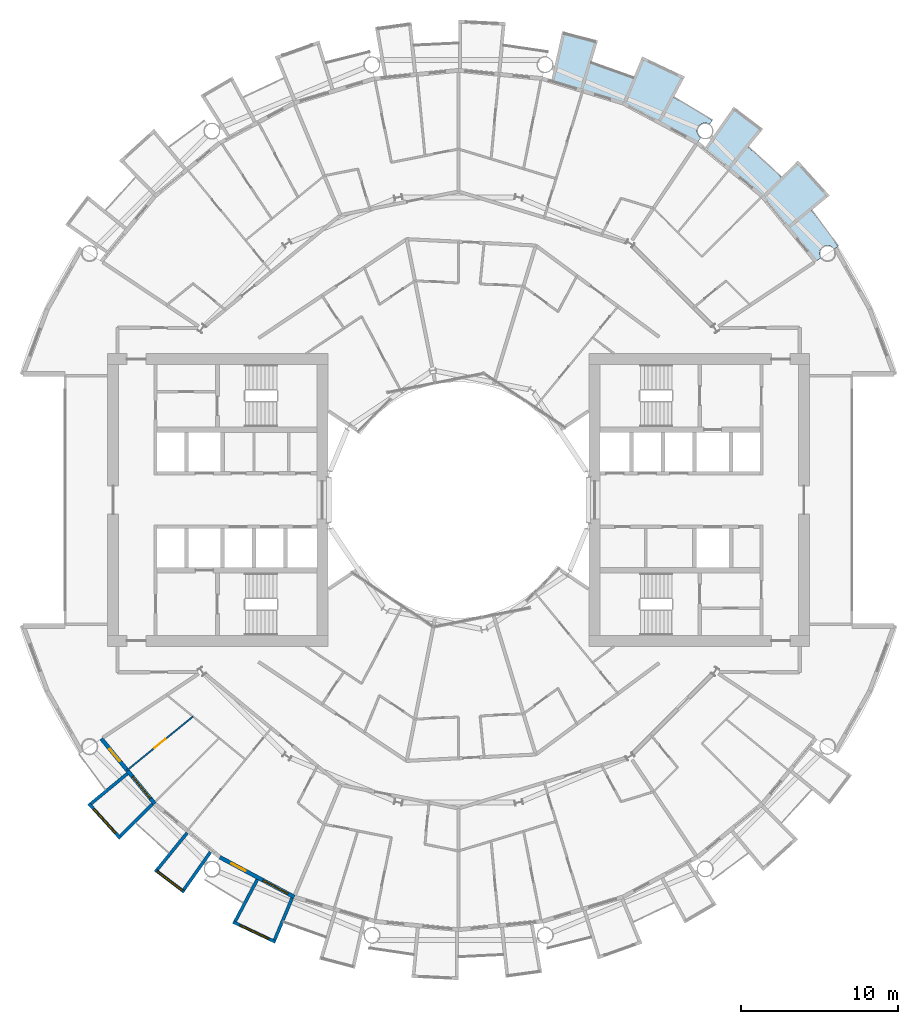
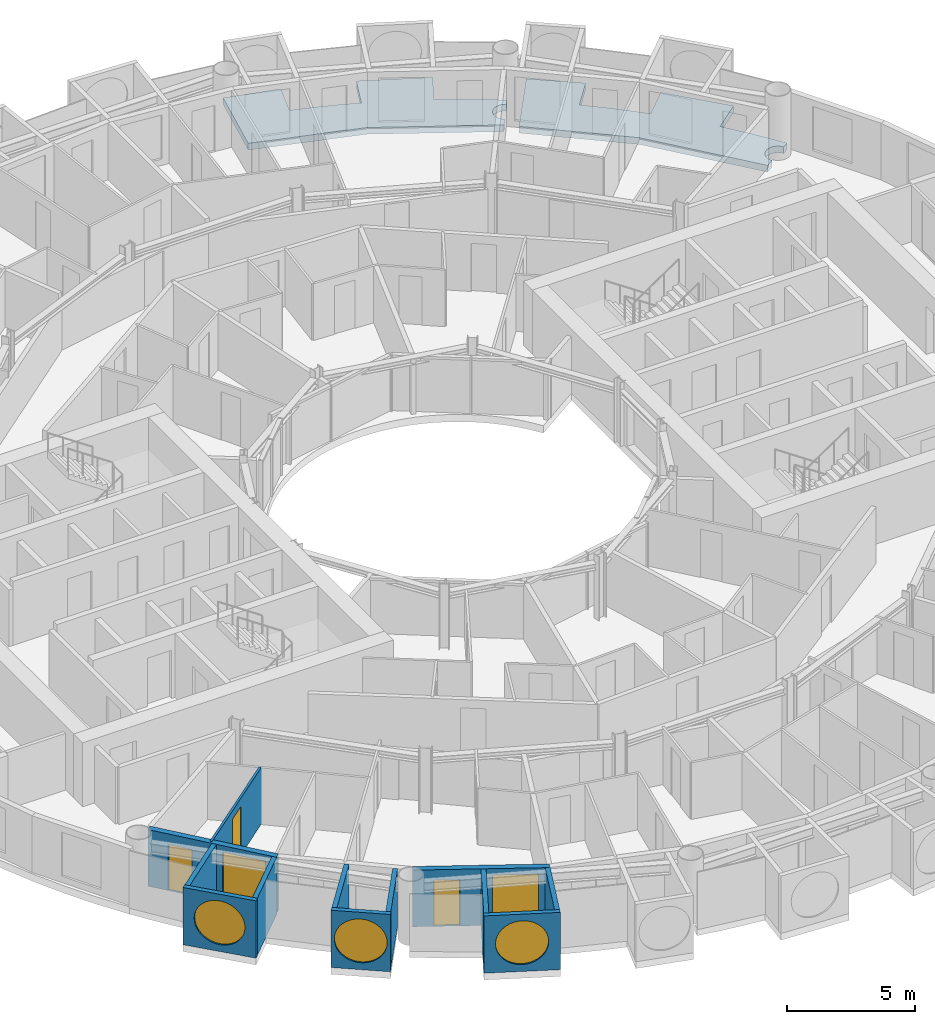
# One storey, part 12 of 26: 12 walls, 5 windows, 3 doors, 2 slabs, 8 openings.
"""IFC4 building model written with IfcOpenShell, lengths in metres."""

import ifcopenshell
import ifcopenshell.guid

model = None  # the IFC model being written
_history = None  # IfcOwnerHistory: only IFC2X3 demands one
_inside = {}  # id of a spatial element -> (the spatial element, [elements in it])
_under = {}  # id of a project, library or spatial element -> (it, [spatial elements below it])
_declared = {}  # id of a project -> (the project, [libraries it declares])
_typed = {}  # id of a type object -> (the type object, [elements of that type])
_made_of = {}  # id of a material, layer set ... -> (it, [elements and type objects made of it])


def new_model(schema):
    """Start an empty IFC model of exactly this schema.

    Asked for "IFC4X3", IfcOpenShell would pick the latest addendum, in which some entities
    have other attributes; the version numbers below select the first issue.
    IFC2X3 requires an IfcOwnerHistory on every rooted entity: one is made here for all.
    """
    global model, _history
    if schema == "IFC4X3":
        model = ifcopenshell.file(schema_version=(4, 3, 0, 0))
    else:
        model = ifcopenshell.file(schema=schema)
    _inside.clear()
    _under.clear()
    _declared.clear()
    _typed.clear()
    _made_of.clear()
    _history = None
    if model.schema == "IFC2X3":
        org = make("IfcOrganization", Name="unknown")
        user = make(
            "IfcPersonAndOrganization",
            ThePerson=make("IfcPerson", FamilyName="unknown"),
            TheOrganization=org,
        )
        app = make(
            "IfcApplication",
            ApplicationDeveloper=org,
            Version="unknown",
            ApplicationFullName="unknown",
            ApplicationIdentifier="unknown",
        )
        _history = make(
            "IfcOwnerHistory",
            OwningUser=user,
            OwningApplication=app,
            ChangeAction="ADDED",
            CreationDate=0,
        )
    return model


def make(cls, **values):
    """One entity of the class cls with the attributes given. An attribute that is None is left unset."""
    return model.create_entity(
        cls, **{name: value for name, value in values.items() if value is not None}
    )


def rooted(cls, **values):
    """An entity with a GlobalId (a new one), such as an element, a storey or a relation."""
    return make(cls, GlobalId=ifcopenshell.guid.new(), OwnerHistory=_history, **values)


def si_unit(unit_type, name, prefix=None):
    """IfcSIUnit, for example si_unit("LENGTHUNIT", "METRE", prefix="MILLI")."""
    return make("IfcSIUnit", UnitType=unit_type, Prefix=prefix, Name=name)


def assignment(units):
    """IfcUnitAssignment: the units of a project."""
    return None if units is None else make("IfcUnitAssignment", Units=units)


def point(xyz):
    """IfcCartesianPoint."""
    return None if xyz is None else make("IfcCartesianPoint", Coordinates=xyz)


def direction(xyz):
    """IfcDirection."""
    return None if xyz is None else make("IfcDirection", DirectionRatios=xyz)


def frame(location, z_axis=None, x_axis=None):
    """IfcAxis2Placement3D, a coordinate frame: its origin and axes. An axis left out is left unset."""
    return make(
        "IfcAxis2Placement3D",
        Location=point(location),
        Axis=direction(z_axis),
        RefDirection=direction(x_axis),
    )


def frame_2d(location, x_axis=None):
    """IfcAxis2Placement2D, a coordinate frame in the plane: its origin and x axis."""
    return make(
        "IfcAxis2Placement2D", Location=point(location), RefDirection=direction(x_axis)
    )


def origin():
    """The frame at (0, 0, 0) with its axes left unset."""
    return frame((0.0, 0.0, 0.0))


def place(relative_to, where):
    """IfcLocalPlacement: puts the frame where relative to a parent placement (None: the world)."""
    return make(
        "IfcLocalPlacement", PlacementRelTo=relative_to, RelativePlacement=where
    )


def context(
    kind, dimensions, precision=None, world=None, true_north=None, identifier=None
):
    """IfcGeometricRepresentationContext, for example the 3D "Model" context."""
    return make(
        "IfcGeometricRepresentationContext",
        ContextIdentifier=identifier,
        ContextType=kind,
        CoordinateSpaceDimension=dimensions,
        Precision=precision,
        WorldCoordinateSystem=world,
        TrueNorth=true_north,
    )


def subcontext(parent, identifier, kind, view, scale=None):
    """IfcGeometricRepresentationSubContext, for example "Body" below "Model"."""
    return make(
        "IfcGeometricRepresentationSubContext",
        ContextIdentifier=identifier,
        ContextType=kind,
        ParentContext=parent,
        TargetScale=scale,
        TargetView=view,
    )


def project(units=None, contexts=None):
    """IfcProject with its units and contexts."""
    return rooted(
        "IfcProject",
        Name="project",
        RepresentationContexts=contexts,
        UnitsInContext=assignment(units),
    )


def spatial(cls, under=None, at=None, **own):
    """A site, building, storey or space (cls), placed at a placement, below another one or the project."""
    s = rooted(cls, ObjectPlacement=at, **own)
    if under is not None:
        _under.setdefault(under.id(), (under, []))[1].append(s)
    return s


def polyline(points):
    """IfcPolyline through the points."""
    return make("IfcPolyline", Points=[point(p) for p in points])


def profile(cls, at=None, kind="AREA", **sizes):
    """A parametric profile (cls). Its sizes go by their IFC names, for example OverallWidth=200.0."""
    return make(cls, ProfileType=kind, Position=at, **sizes)


def rectangle(**sizes):
    """IfcRectangleProfileDef."""
    return profile("IfcRectangleProfileDef", **sizes)


def circle(**sizes):
    """IfcCircleProfileDef."""
    return profile("IfcCircleProfileDef", **sizes)


def outline(outer, holes=None, kind="AREA"):
    """IfcArbitraryClosedProfileDef: a profile drawn as a closed curve; with holes, ...WithVoids."""
    if holes is None:
        return make("IfcArbitraryClosedProfileDef", ProfileType=kind, OuterCurve=outer)
    return make(
        "IfcArbitraryProfileDefWithVoids",
        ProfileType=kind,
        OuterCurve=outer,
        InnerCurves=holes,
    )


def extrude(swept, where, along, depth):
    """IfcExtrudedAreaSolid: the profile swept, set in the frame where, extruded along a direction by depth."""
    return make(
        "IfcExtrudedAreaSolid",
        SweptArea=swept,
        Position=where,
        ExtrudedDirection=direction(along),
        Depth=depth,
    )


def shape(context_of_items, identifier, shape_type, items):
    """IfcShapeRepresentation: the items that make up one representation, for example the "Body"."""
    return make(
        "IfcShapeRepresentation",
        ContextOfItems=context_of_items,
        RepresentationIdentifier=identifier,
        RepresentationType=shape_type,
        Items=items,
    )


def material(Name=None, Category=None):
    """IfcMaterial."""
    return make("IfcMaterial", Name=Name, Category=Category)


def layer(
    of_material, thickness, ventilated=None, Name=None, Category=None, Priority=None
):
    """IfcMaterialLayer: one layer of a wall or slab, of a material (None: an air gap)."""
    return make(
        "IfcMaterialLayer",
        Material=of_material,
        LayerThickness=thickness,
        IsVentilated=ventilated,
        Name=Name,
        Category=Category,
        Priority=Priority,
    )


def layer_set(layers, Name=None):
    """IfcMaterialLayerSet."""
    return make("IfcMaterialLayerSet", MaterialLayers=layers, LayerSetName=Name)


def made_of(thing, what):
    """Note that an element or type object is made of a material, layer set ...; save() writes the relation."""
    if what is not None:
        _made_of.setdefault(what.id(), (what, []))[1].append(thing)
    return thing


def type_object(cls, material=None, **own):
    """A type object (cls), such as IfcWallType, which elements share."""
    return made_of(rooted(cls, **own), material)


def element(
    cls,
    number,
    at=None,
    inside=None,
    cuts=None,
    type_object=None,
    material=None,
    context=None,
    identifier="Body",
    shape_type=None,
    held_by="IfcProductDefinitionShape",
    body=None,
    shapes=None,
    **own,
):
    """One element of the class cls, such as IfcWall. Its Tag is "e" and its number.

    at: its placement. inside: the storey or other place that contains it. cuts: it is an
    opening in that element (IfcRelVoidsElement). A single representation is given by context,
    identifier, shape_type and body (its items); several are given by shapes. held_by: the class
    of the entity that holds the representations. save() writes the other relations.
    """
    e = rooted(cls, Tag="e%d" % number, ObjectPlacement=at, **own)
    if body is not None:
        shapes = [shape(context, identifier, shape_type, body)]
    if shapes is not None:
        e.Representation = make(held_by, Representations=shapes)
    if inside is not None:
        _inside.setdefault(inside.id(), (inside, []))[1].append(e)
    if cuts is not None:
        rooted(
            "IfcRelVoidsElement", RelatingBuildingElement=cuts, RelatedOpeningElement=e
        )
    if type_object is not None:
        _typed.setdefault(type_object.id(), (type_object, []))[1].append(e)
    return made_of(e, material)


def fill(opening, filler):
    """IfcRelFillsElement: the door or window that sits in an opening."""
    return rooted(
        "IfcRelFillsElement",
        RelatingOpeningElement=opening,
        RelatedBuildingElement=filler,
    )


def aggregate(whole, parts):
    """IfcRelAggregates: a whole, such as a stair, and the parts it consists of."""
    return rooted("IfcRelAggregates", RelatingObject=whole, RelatedObjects=parts)


def save(model, path):
    """Write the relations noted so far, then the file.

    IfcRelAggregates (storeys below a building ...), IfcRelContainedInSpatialStructure (elements
    in a storey), IfcRelDefinesByType, IfcRelAssociatesMaterial and IfcRelDeclares: one each for
    every whole, place, type object, material and project.
    """
    for whole, parts in _under.values():
        aggregate(whole, parts)
    for where, things in _inside.values():
        rooted(
            "IfcRelContainedInSpatialStructure",
            RelatedElements=things,
            RelatingStructure=where,
        )
    for kind, things in _typed.values():
        rooted("IfcRelDefinesByType", RelatedObjects=things, RelatingType=kind)
    for what, things in _made_of.values():
        rooted("IfcRelAssociatesMaterial", RelatedObjects=things, RelatingMaterial=what)
    for by, libraries in _declared.values():
        rooted("IfcRelDeclares", RelatingContext=by, RelatedDefinitions=libraries)
    model.write(path)


model = new_model("IFC4")

# Units and contexts
model_context = context("Model", 3, precision=1e-05, world=origin(), true_north=direction((0.0, 1.0)))
body_context = subcontext(model_context, "Body", "Model", "MODEL_VIEW")
ifc_project = project(units=[si_unit("LENGTHUNIT", "METRE"), si_unit("AREAUNIT", "SQUARE_METRE"), si_unit("VOLUMEUNIT", "CUBIC_METRE"), si_unit("PLANEANGLEUNIT", "RADIAN"), si_unit("MASSUNIT", "GRAM", prefix="KILO")], contexts=[model_context])

# Site, building, storey
site_placement = place(None, origin())
site = spatial("IfcSite", under=ifc_project, at=site_placement, CompositionType="ELEMENT")
building_placement = place(site_placement, origin())
building = spatial("IfcBuilding", under=site, at=building_placement, Name="Maasbend Ring Residences", CompositionType="ELEMENT")
storey_placement = place(building_placement, frame((0.0, 0.0, 88.0)))
storey = spatial("IfcBuildingStorey", under=building, at=storey_placement, Name="L25", CompositionType="ELEMENT", Elevation=88.0)

# Slabs
ifc_material_1 = material(Name="Concrete C40/50", Category="concrete")
ifc_layer_1 = layer(ifc_material_1, 0.199951171875)
ifc_layer_set_1 = layer_set([ifc_layer_1], Name="Concrete C40/50")
slab_type = type_object("IfcSlabType", Name="SL-LOGGIA", PredefinedType="FLOOR", material=ifc_layer_set_1)
slab_1_placement = place(storey_placement, frame((0.0, 0.0, -0.35009765625)))
element("IfcSlab", 1, at=slab_1_placement, inside=storey, type_object=slab_type, Name="Loggia floor 1", PredefinedType="FLOOR", context=body_context, shape_type="SweptSolid", body=[
    extrude(outline(polyline([(8.85400390625, 29.18701171875), (8.85400390625, 29.18701171875), (8.85400390625, 29.18701171875), (8.41796875, 27.751953125), (8.41796875, 27.751953125), (8.41796875, 27.751953125), (8.41796875, 27.751953125), (8.41796875, 27.751953125), (8.41796875, 27.751953125), (8.41796875, 27.7509765625), (8.41796875, 27.7509765625), (8.41796875, 27.7509765625), (8.41796875, 27.7509765625), (8.41796875, 27.7509765625), (8.4189453125, 27.7509765625), (8.4189453125, 27.7509765625), (8.4189453125, 27.7509765625), (8.4189453125, 27.7509765625), (8.4189453125, 27.7509765625), (8.4189453125, 27.7509765625), (9.322021484375, 27.4609375), (9.322021484375, 27.4609375), (10.215087890625, 27.14111328125), (10.215087890625, 27.14111328125), (11.096923828125, 26.79296875), (11.096923828125, 26.79296875), (11.096923828125, 26.79296875), (11.097900390625, 26.79296875), (11.097900390625, 26.79296875), (11.097900390625, 26.79296875), (11.097900390625, 26.79296875), (11.097900390625, 26.79296875), (11.097900390625, 26.79296875), (11.097900390625, 26.79296875), (11.097900390625, 26.79296875), (11.097900390625, 26.79296875), (11.097900390625, 26.79296875), (11.097900390625, 26.79296875), (11.097900390625, 26.79296875), (11.097900390625, 26.79296875), (11.097900390625, 26.79296875), (11.672119140625, 28.177978515625), (11.672119140625, 28.177978515625), (11.672119140625, 28.177978515625), (14.3779296875, 26.89892578125), (14.3779296875, 26.89892578125), (14.3779296875, 26.89892578125), (13.6708984375, 25.575927734375), (13.6708984375, 25.575927734375), (13.6708984375, 25.575927734375), (13.6708984375, 25.575927734375), (13.6708984375, 25.575927734375), (13.6708984375, 25.575927734375), (13.6708984375, 25.575927734375), (13.6708984375, 25.575927734375), (13.6708984375, 25.575927734375), (13.6708984375, 25.575927734375), (13.6708984375, 25.575927734375), (13.6708984375, 25.575927734375), (13.6708984375, 25.575927734375), (13.6708984375, 25.575927734375), (13.6708984375, 25.575927734375), (13.6708984375, 25.575927734375), (13.6708984375, 25.574951171875), (14.5, 25.114990234375), (14.5, 25.114990234375), (15.31396484375, 24.626953125), (15.31396484375, 24.626953125), (16.112060546875, 24.113037109375), (16.112060546875, 24.113037109375), (16.112060546875, 24.113037109375), (15.948974609375, 23.8701171875), (15.93896484375, 23.876953125), (15.927978515625, 23.883056640625), (15.9169921875, 23.888916015625), (15.906982421875, 23.89501953125), (15.89599609375, 23.90087890625), (15.884033203125, 23.906982421875), (15.873046875, 23.912109375), (15.862060546875, 23.9169921875), (15.85009765625, 23.9208984375), (15.837890625, 23.926025390625), (15.825927734375, 23.929931640625), (15.81494140625, 23.93408203125), (15.802978515625, 23.93701171875), (15.791015625, 23.93994140625), (15.778076171875, 23.943115234375), (15.76611328125, 23.946044921875), (15.75390625, 23.947998046875), (15.741943359375, 23.949951171875), (15.72900390625, 23.951904296875), (15.717041015625, 23.952880859375), (15.7041015625, 23.9541015625), (15.69189453125, 23.955078125), (15.679931640625, 23.955078125), (15.6669921875, 23.955078125), (15.655029296875, 23.955078125), (15.64208984375, 23.955078125), (15.6298828125, 23.9541015625), (15.616943359375, 23.952880859375), (15.60498046875, 23.951904296875), (15.593017578125, 23.949951171875), (15.580078125, 23.947998046875), (15.568115234375, 23.946044921875), (15.555908203125, 23.943115234375), (15.5439453125, 23.93994140625), (15.531982421875, 23.93701171875), (15.52001953125, 23.93408203125), (15.508056640625, 23.929931640625), (15.49609375, 23.926025390625), (15.48388671875, 23.9208984375), (15.472900390625, 23.9169921875), (15.4609375, 23.912109375), (15.449951171875, 23.906982421875), (15.43896484375, 23.90087890625), (15.427978515625, 23.89501953125), (15.4169921875, 23.888916015625), (15.406005859375, 23.883056640625), (15.39501953125, 23.876953125), (15.385009765625, 23.8701171875), (15.375, 23.863037109375), (15.364013671875, 23.85498046875), (15.35498046875, 23.847900390625), (15.344970703125, 23.840087890625), (15.3349609375, 23.83203125), (15.325927734375, 23.823974609375), (15.31689453125, 23.81494140625), (15.30810546875, 23.806884765625), (15.299072265625, 23.798095703125), (15.291015625, 23.7890625), (15.281982421875, 23.779052734375), (15.27392578125, 23.77001953125), (15.26708984375, 23.760009765625), (15.259033203125, 23.75), (15.251953125, 23.739990234375), (15.2451171875, 23.72998046875), (15.238037109375, 23.718994140625), (15.23095703125, 23.708984375), (15.22509765625, 23.697998046875), (15.218994140625, 23.68701171875), (15.212890625, 23.676025390625), (15.2080078125, 23.6650390625), (15.202880859375, 23.653076171875), (15.197998046875, 23.64208984375), (15.193115234375, 23.6298828125), (15.18896484375, 23.618896484375), (15.18505859375, 23.60693359375), (15.180908203125, 23.594970703125), (15.177978515625, 23.5830078125), (15.174072265625, 23.571044921875), (15.1708984375, 23.55908203125), (15.1689453125, 23.547119140625), (15.1669921875, 23.533935546875), (15.1650390625, 23.52197265625), (15.1630859375, 23.510009765625), (15.162109375, 23.4970703125), (15.159912109375, 23.485107421875), (15.159912109375, 23.471923828125), (15.158935546875, 23.4599609375), (15.158935546875, 23.447021484375), (15.158935546875, 23.43505859375), (15.159912109375, 23.422119140625), (15.159912109375, 23.409912109375), (15.162109375, 23.39794921875), (15.1630859375, 23.385009765625), (15.1650390625, 23.373046875), (15.1669921875, 23.361083984375), (15.1689453125, 23.347900390625), (15.1708984375, 23.3359375), (15.174072265625, 23.323974609375), (15.177978515625, 23.31201171875), (15.180908203125, 23.300048828125), (15.18505859375, 23.2880859375), (15.18896484375, 23.27587890625), (15.193115234375, 23.264892578125), (15.197998046875, 23.2529296875), (15.202880859375, 23.241943359375), (15.2080078125, 23.22998046875), (15.212890625, 23.218994140625), (15.218994140625, 23.2080078125), (15.22509765625, 23.197021484375), (15.23095703125, 23.18603515625), (15.238037109375, 23.176025390625), (15.2451171875, 23.1650390625), (15.251953125, 23.155029296875), (15.259033203125, 23.14501953125), (15.26708984375, 23.135009765625), (15.27392578125, 23.125), (15.281982421875, 23.115966796875), (15.291015625, 23.10595703125), (15.299072265625, 23.096923828125), (15.30810546875, 23.087890625), (15.31689453125, 23.0791015625), (15.325927734375, 23.071044921875), (15.3349609375, 23.06298828125), (15.344970703125, 23.054931640625), (15.35498046875, 23.047119140625), (15.364013671875, 23.0390625), (15.375, 23.031982421875), (15.385009765625, 23.02490234375), (15.1669921875, 22.698974609375), (15.1669921875, 22.698974609375), (15.1669921875, 22.698974609375), (12.806884765625, 23.9609375), (10.447021484375, 25.221923828125), (10.447021484375, 25.221923828125), (10.447021484375, 25.221923828125), (7.886962890625, 25.9990234375), (5.89111328125, 26.60400390625), (5.89111328125, 26.60400390625), (5.89111328125, 26.60400390625), (6.593994140625, 29.779052734375), (6.593994140625, 29.779052734375), (6.593994140625, 29.779052734375), (8.85400390625, 29.18701171875)])), origin(), (0.0, 0.0, 1.0), 0.320068359375),
])
slab_2_placement = place(storey_placement, frame((0.0, 0.0, -0.35009765625)))
element("IfcSlab", 2, at=slab_2_placement, inside=storey, type_object=slab_type, Name="Loggia floor 4", PredefinedType="FLOOR", context=body_context, shape_type="SweptSolid", body=[
    extrude(outline(polyline([(19.34912109375, 23.576904296875), (19.34912109375, 23.576904296875), (19.34912109375, 23.576904296875), (18.39794921875, 22.41796875), (18.39794921875, 22.41796875), (18.39794921875, 22.41796875), (18.39794921875, 22.41796875), (18.39794921875, 22.41796875), (18.39794921875, 22.4169921875), (18.39794921875, 22.4169921875), (18.39794921875, 22.4169921875), (18.39794921875, 22.4169921875), (18.39794921875, 22.4169921875), (18.39794921875, 22.4169921875), (18.39794921875, 22.4169921875), (18.39794921875, 22.4169921875), (18.39794921875, 22.4169921875), (18.39794921875, 22.4169921875), (18.39794921875, 22.4169921875), (18.39794921875, 22.4169921875), (19.12109375, 21.802978515625), (19.12109375, 21.802978515625), (19.823974609375, 21.166015625), (19.823974609375, 21.166015625), (20.506103515625, 20.506103515625), (20.506103515625, 20.506103515625), (20.506103515625, 20.506103515625), (20.506103515625, 20.506103515625), (20.506103515625, 20.506103515625), (20.506103515625, 20.506103515625), (20.506103515625, 20.506103515625), (20.506103515625, 20.506103515625), (20.506103515625, 20.506103515625), (20.506103515625, 20.506103515625), (20.506103515625, 20.506103515625), (20.506103515625, 20.506103515625), (20.506103515625, 20.506103515625), (20.506103515625, 20.506103515625), (20.506103515625, 20.506103515625), (20.506103515625, 20.506103515625), (20.506103515625, 20.506103515625), (21.56689453125, 21.56689453125), (21.56689453125, 21.56689453125), (21.56689453125, 21.56689453125), (23.576904296875, 19.34912109375), (23.576904296875, 19.34912109375), (23.576904296875, 19.34912109375), (22.41796875, 18.39794921875), (22.41796875, 18.39794921875), (22.41796875, 18.39794921875), (22.41796875, 18.39794921875), (22.41796875, 18.39794921875), (22.41796875, 18.39794921875), (22.41796875, 18.39697265625), (22.41796875, 18.39697265625), (22.41796875, 18.39697265625), (22.41796875, 18.39697265625), (22.41796875, 18.39697265625), (22.41796875, 18.39697265625), (22.41796875, 18.39697265625), (22.41796875, 18.39697265625), (22.41796875, 18.39697265625), (22.41796875, 18.39697265625), (22.41796875, 18.39697265625), (23.007080078125, 17.654052734375), (23.007080078125, 17.654052734375), (23.572998046875, 16.89208984375), (23.572998046875, 16.89208984375), (24.113037109375, 16.112060546875), (24.113037109375, 16.112060546875), (24.113037109375, 16.112060546875), (23.8701171875, 15.948974609375), (23.8701171875, 15.948974609375), (23.863037109375, 15.9599609375), (23.85498046875, 15.969970703125), (23.847900390625, 15.97998046875), (23.840087890625, 15.989013671875), (23.83203125, 15.9990234375), (23.823974609375, 16.008056640625), (23.81494140625, 16.01708984375), (23.806884765625, 16.02587890625), (23.798095703125, 16.034912109375), (23.7890625, 16.0439453125), (23.779052734375, 16.052001953125), (23.77001953125, 16.06005859375), (23.760009765625, 16.068115234375), (23.75, 16.074951171875), (23.739990234375, 16.08203125), (23.72998046875, 16.089111328125), (23.718994140625, 16.095947265625), (23.708984375, 16.10302734375), (23.697998046875, 16.10888671875), (23.68701171875, 16.114990234375), (23.676025390625, 16.12109375), (23.6650390625, 16.1259765625), (23.653076171875, 16.132080078125), (23.64208984375, 16.135986328125), (23.6298828125, 16.14111328125), (23.618896484375, 16.14501953125), (23.60693359375, 16.14892578125), (23.594970703125, 16.153076171875), (23.5830078125, 16.156982421875), (23.571044921875, 16.159912109375), (23.55908203125, 16.1630859375), (23.547119140625, 16.1650390625), (23.533935546875, 16.16796875), (23.52197265625, 16.169921875), (23.510009765625, 16.1708984375), (23.4970703125, 16.173095703125), (23.485107421875, 16.174072265625), (23.471923828125, 16.174072265625), (23.4599609375, 16.175048828125), (23.447021484375, 16.175048828125), (23.43505859375, 16.175048828125), (23.422119140625, 16.174072265625), (23.409912109375, 16.174072265625), (23.39794921875, 16.173095703125), (23.385009765625, 16.1708984375), (23.373046875, 16.169921875), (23.361083984375, 16.16796875), (23.347900390625, 16.1650390625), (23.3359375, 16.1630859375), (23.323974609375, 16.159912109375), (23.31201171875, 16.156982421875), (23.300048828125, 16.153076171875), (23.2880859375, 16.14892578125), (23.27587890625, 16.14501953125), (23.264892578125, 16.14111328125), (23.2529296875, 16.135986328125), (23.241943359375, 16.132080078125), (23.22998046875, 16.1259765625), (23.218994140625, 16.12109375), (23.2080078125, 16.114990234375), (23.197021484375, 16.10888671875), (23.18603515625, 16.10302734375), (23.176025390625, 16.095947265625), (23.1650390625, 16.089111328125), (23.155029296875, 16.08203125), (23.14501953125, 16.074951171875), (23.135009765625, 16.068115234375), (23.125, 16.06005859375), (23.115966796875, 16.052001953125), (23.10595703125, 16.0439453125), (23.096923828125, 16.034912109375), (23.087890625, 16.02587890625), (23.0791015625, 16.01708984375), (23.071044921875, 16.008056640625), (23.06298828125, 15.9990234375), (23.054931640625, 15.989013671875), (23.047119140625, 15.97998046875), (23.0390625, 15.969970703125), (23.031982421875, 15.9599609375), (23.02490234375, 15.948974609375), (23.01806640625, 15.93896484375), (23.011962890625, 15.927978515625), (23.0048828125, 15.9169921875), (22.9990234375, 15.906982421875), (22.993896484375, 15.89599609375), (22.988037109375, 15.884033203125), (22.98291015625, 15.873046875), (22.97802734375, 15.862060546875), (22.972900390625, 15.85009765625), (22.968994140625, 15.837890625), (22.965087890625, 15.825927734375), (22.9609375, 15.81494140625), (22.9580078125, 15.802978515625), (22.955078125, 15.791015625), (22.951904296875, 15.778076171875), (22.948974609375, 15.76611328125), (22.947021484375, 15.75390625), (22.945068359375, 15.741943359375), (22.943115234375, 15.72900390625), (22.94189453125, 15.717041015625), (22.94091796875, 15.7041015625), (22.93994140625, 15.69189453125), (22.93994140625, 15.679931640625), (22.93896484375, 15.6669921875), (22.93994140625, 15.655029296875), (22.93994140625, 15.64208984375), (22.94091796875, 15.6298828125), (22.94189453125, 15.616943359375), (22.943115234375, 15.60498046875), (22.945068359375, 15.593017578125), (22.947021484375, 15.580078125), (22.948974609375, 15.568115234375), (22.951904296875, 15.555908203125), (22.955078125, 15.5439453125), (22.9580078125, 15.531982421875), (22.9609375, 15.52001953125), (22.965087890625, 15.508056640625), (22.968994140625, 15.49609375), (22.972900390625, 15.48388671875), (22.97802734375, 15.472900390625), (22.98291015625, 15.4609375), (22.988037109375, 15.449951171875), (22.993896484375, 15.43896484375), (22.9990234375, 15.427978515625), (23.0048828125, 15.4169921875), (23.011962890625, 15.406005859375), (23.01806640625, 15.39501953125), (23.02490234375, 15.385009765625), (23.02490234375, 15.385009765625), (22.698974609375, 15.1669921875), (22.698974609375, 15.1669921875), (22.698974609375, 15.1669921875), (21.001953125, 17.236083984375), (19.303955078125, 19.303955078125), (19.303955078125, 19.303955078125), (19.303955078125, 19.303955078125), (17.236083984375, 21.001953125), (15.623046875, 22.324951171875), (15.623046875, 22.324951171875), (15.623046875, 22.324951171875), (17.488037109375, 24.989013671875), (17.488037109375, 24.989013671875), (17.488037109375, 24.989013671875), (19.34912109375, 23.576904296875)])), origin(), (0.0, 0.0, 1.0), 0.320068359375),
])

# Wall, opening, window
ifc_material_2 = material(Name="Pale anodised aluminium panel", Category="aluminium")
ifc_layer_2 = layer(ifc_material_2, 0.199951171875)
ifc_layer_set_2 = layer_set([ifc_layer_2], Name="EW-BOX")
wall_type_1 = type_object("IfcWallType", Name="EW-BOX", PredefinedType="SOLIDWALL", material=ifc_layer_set_2)
wall_1_placement = place(storey_placement, frame((-23.5029296875, -19.281982421875, -0.030029296875), z_axis=(0.0, 0.0, 1.0), x_axis=(0.671506829416, -0.740998365753, 0.0)))
wall_1 = element("IfcWall", 3, at=wall_1_placement, inside=storey, type_object=wall_type_1, Name="Box front S02", PredefinedType="SOLIDWALL", context=body_context, shape_type="SweptSolid", body=[
    extrude(rectangle(XDim=2.9931640625, YDim=0.199951171875, at=frame_2d((1.49658203125, 0.0))), origin(), (0.0, 0.0, 1.0), 2.72998046875),
])
opening_1_placement = place(wall_1_placement, frame((0.45654296875, 0.0, 0.330078125)))
opening_1 = element("IfcOpeningElement", 4, at=opening_1_placement, cuts=wall_1, Name="Opening W-RD", PredefinedType="OPENING", context=body_context, shape_type="SweptSolid", body=[
    extrude(circle(Radius=1.0400390625, at=frame_2d((1.0400390625, 1.0400390625))), frame((0.0, 0.10986328125, 0.0), z_axis=(0.0, -1.0, 0.0), x_axis=(1.0, 0.0, 0.0)), (0.0, 0.0, 1.0), 0.219970703125),
])
ifc_material_3 = material(Name="Aluminium and clear glass", Category="aluminium")
window_type_1 = type_object("IfcWindowType", Name="W-RD", PartitioningType="SINGLE_PANEL", PredefinedType="WINDOW", material=ifc_material_3)
window_1_placement = place(opening_1_placement, origin())
window_1 = element("IfcWindow", 5, at=window_1_placement, inside=storey, type_object=window_type_1, Name="Round window S02", OverallHeight=2.080078125, OverallWidth=2.080078125, PartitioningType="SINGLE_PANEL", PredefinedType="WINDOW", context=body_context, shape_type="SweptSolid", body=[
    extrude(circle(Radius=1.0400390625, at=frame_2d((1.0400390625, 1.0400390625))), frame((0.0, 0.030029296875, 0.0), z_axis=(0.0, -1.0, 0.0), x_axis=(1.0, 0.0, 0.0)), (0.0, 0.0, 1.0), 0.06005859375),
])
fill(opening_1, window_1)

# Walls
wall_2_placement = place(storey_placement, frame((-21.041015625, -17.384033203125, -0.030029296875), z_axis=(0.0, 0.0, 1.0), x_axis=(-0.770784861449, -0.63709551667, 0.0)))
element("IfcWall", 6, at=wall_2_placement, inside=storey, type_object=wall_type_1, Name="Box side wall S02 left", PredefinedType="SOLIDWALL", context=body_context, shape_type="SweptSolid", body=[
    extrude(rectangle(XDim=3.005859375, YDim=0.199951171875, at=frame_2d((1.5029296875, 0.0))), origin(), (0.0, 0.0, 1.0), 2.72998046875),
])
wall_3_placement = place(storey_placement, frame((-19.449951171875, -19.322998046875, -0.030029296875), z_axis=(0.0, 0.0, 1.0), x_axis=(-0.709727076896, -0.704476739375, 0.0)))
element("IfcWall", 7, at=wall_3_placement, inside=storey, type_object=wall_type_1, Name="Box side wall S02 right", PredefinedType="SOLIDWALL", context=body_context, shape_type="SweptSolid", body=[
    extrude(rectangle(XDim=2.883056640625, YDim=0.199951171875, at=frame_2d((1.44140625, 0.0))), origin(), (0.0, 0.0, 1.0), 2.72998046875),
])

# Wall, opening, window
wall_4_placement = place(storey_placement, frame((-19.2890625, -23.4970703125, -0.030029296875), z_axis=(0.0, 0.0, 1.0), x_axis=(0.796842165306, -0.60418752353, 0.0)))
wall_4 = element("IfcWall", 8, at=wall_4_placement, inside=storey, type_object=wall_type_1, Name="Box front S04", PredefinedType="SOLIDWALL", context=body_context, shape_type="SweptSolid", body=[
    extrude(rectangle(XDim=2.3369140625, YDim=0.199951171875, at=frame_2d((1.16845703125, 0.0))), origin(), (0.0, 0.0, 1.0), 2.72998046875),
])
opening_2_placement = place(wall_4_placement, frame((0.128173828125, 0.0, 0.330078125)))
opening_2 = element("IfcOpeningElement", 9, at=opening_2_placement, cuts=wall_4, Name="Opening W-RD", PredefinedType="OPENING", context=body_context, shape_type="SweptSolid", body=[
    extrude(circle(Radius=1.0400390625, at=frame_2d((1.0400390625, 1.0400390625))), frame((0.0, 0.10986328125, 0.0), z_axis=(0.0, -1.0, 0.0), x_axis=(1.0, 0.0, 0.0)), (0.0, 0.0, 1.0), 0.219970703125),
])
window_2_placement = place(opening_2_placement, origin())
window_2 = element("IfcWindow", 10, at=window_2_placement, inside=storey, type_object=window_type_1, Name="Round window S04", OverallHeight=2.080078125, OverallWidth=2.080078125, PartitioningType="SINGLE_PANEL", PredefinedType="WINDOW", context=body_context, shape_type="SweptSolid", body=[
    extrude(circle(Radius=1.0400390625, at=frame_2d((1.0400390625, 1.0400390625))), frame((0.0, 0.030029296875, 0.0), z_axis=(0.0, -1.0, 0.0), x_axis=(1.0, 0.0, 0.0)), (0.0, 0.0, 1.0), 0.06005859375),
])
fill(opening_2, window_2)

# Walls
wall_5_placement = place(storey_placement, frame((-17.24609375, -21.155029296875, -0.030029296875), z_axis=(0.0, 0.0, 1.0), x_axis=(-0.631741648902, -0.775179004516, 0.0)))
element("IfcWall", 11, at=wall_5_placement, inside=storey, type_object=wall_type_1, Name="Box side wall S04 left", PredefinedType="SOLIDWALL", context=body_context, shape_type="SweptSolid", body=[
    extrude(rectangle(XDim=3.005859375, YDim=0.199951171875, at=frame_2d((1.5029296875, 0.0))), origin(), (0.0, 0.0, 1.0), 2.72998046875),
])
wall_6_placement = place(storey_placement, frame((-15.764892578125, -22.3701171875, -0.030029296875), z_axis=(0.0, 0.0, 1.0), x_axis=(-0.576274612209, -0.817256123454, 0.0)))
element("IfcWall", 12, at=wall_6_placement, inside=storey, type_object=wall_type_1, Name="Box side wall S04 right", PredefinedType="SOLIDWALL", context=body_context, shape_type="SweptSolid", body=[
    extrude(rectangle(XDim=2.932861328125, YDim=0.199951171875, at=frame_2d((1.46630859375, 0.0))), origin(), (0.0, 0.0, 1.0), 2.72998046875),
])

# Wall, opening, window
wall_7_placement = place(storey_placement, frame((-14.3349609375, -26.80810546875, -0.030029296875), z_axis=(0.0, 0.0, 1.0), x_axis=(0.904000060331, -0.427532327342, 0.0)))
wall_7 = element("IfcWall", 13, at=wall_7_placement, inside=storey, type_object=wall_type_1, Name="Box front S06", PredefinedType="SOLIDWALL", context=body_context, shape_type="SweptSolid", body=[
    extrude(rectangle(XDim=2.993408203125, YDim=0.199951171875, at=frame_2d((1.49658203125, 0.0))), origin(), (0.0, 0.0, 1.0), 2.72998046875),
])
opening_3_placement = place(wall_7_placement, frame((0.45654296875, 0.0, 0.330078125)))
opening_3 = element("IfcOpeningElement", 14, at=opening_3_placement, cuts=wall_7, Name="Opening W-RD", PredefinedType="OPENING", context=body_context, shape_type="SweptSolid", body=[
    extrude(circle(Radius=1.0400390625, at=frame_2d((1.0400390625, 1.0400390625))), frame((0.0, 0.10986328125, 0.0), z_axis=(0.0, -1.0, 0.0), x_axis=(1.0, 0.0, 0.0)), (0.0, 0.0, 1.0), 0.219970703125),
])
window_3_placement = place(opening_3_placement, origin())
window_3 = element("IfcWindow", 15, at=window_3_placement, inside=storey, type_object=window_type_1, Name="Round window S06", OverallHeight=2.080078125, OverallWidth=2.080078125, PartitioningType="SINGLE_PANEL", PredefinedType="WINDOW", context=body_context, shape_type="SweptSolid", body=[
    extrude(circle(Radius=1.0400390625, at=frame_2d((1.0400390625, 1.0400390625))), frame((0.0, 0.030029296875, 0.0), z_axis=(0.0, -1.0, 0.0), x_axis=(1.0, 0.0, 0.0)), (0.0, 0.0, 1.0), 0.06005859375),
])
fill(opening_3, window_3)

# Walls
wall_8_placement = place(storey_placement, frame((-12.787109375, -24.113037109375, -0.030029296875), z_axis=(0.0, 0.0, 1.0), x_axis=(-0.468365282436, -0.883534924159, 0.0)))
element("IfcWall", 16, at=wall_8_placement, inside=storey, type_object=wall_type_1, Name="Box side wall S06 left", PredefinedType="SOLIDWALL", context=body_context, shape_type="SweptSolid", body=[
    extrude(rectangle(XDim=3.006103515625, YDim=0.199951171875, at=frame_2d((1.5029296875, 0.0))), origin(), (0.0, 0.0, 1.0), 2.72998046875),
])
wall_9_placement = place(storey_placement, frame((-10.574951171875, -25.294921875, -0.030029296875), z_axis=(0.0, 0.0, 1.0), x_axis=(-0.385697364644, -0.922625353492, 0.0)))
element("IfcWall", 17, at=wall_9_placement, inside=storey, type_object=wall_type_1, Name="Box side wall S06 right", PredefinedType="SOLIDWALL", context=body_context, shape_type="SweptSolid", body=[
    extrude(rectangle(XDim=2.88330078125, YDim=0.199951171875, at=frame_2d((1.441650390625, 0.0))), origin(), (0.0, 0.0, 1.0), 2.72998046875),
])

# Wall, openings, door, window
ifc_material_4 = material(Name="Aluminium clad insulated panel", Category="aluminium")
ifc_layer_3 = layer(ifc_material_4, 0.25)
ifc_layer_set_3 = layer_set([ifc_layer_3], Name="EW-GL")
wall_type_2 = type_object("IfcWallType", Name="EW-GL", PredefinedType="SOLIDWALL", material=ifc_layer_set_3)
wall_10_placement = place(storey_placement, frame((-22.698974609375, -15.1669921875, 0.0), z_axis=(0.0, 0.0, 1.0), x_axis=(0.634382322723, -0.773019449054, 0.0)))
wall_10 = element("IfcWall", 18, at=wall_10_placement, inside=storey, type_object=wall_type_2, Name="External wall S01", PredefinedType="SOLIDWALL", context=body_context, shape_type="SweptSolid", body=[
    extrude(rectangle(XDim=5.351806640625, YDim=0.25, at=frame_2d((2.67578125, 0.0))), origin(), (0.0, 0.0, 1.0), 2.699951171875),
])
opening_4_placement = place(wall_10_placement, frame((0.841064453125, 0.0, 0.0)))
opening_4 = element("IfcOpeningElement", 19, at=opening_4_placement, cuts=wall_10, Name="Opening D-LG", PredefinedType="OPENING", context=body_context, shape_type="SweptSolid", body=[
    extrude(rectangle(XDim=1.0, YDim=2.199951171875, at=frame_2d((0.5, 1.10009765625))), frame((0.0, 0.135009765625, 0.0), z_axis=(0.0, -1.0, 0.0), x_axis=(1.0, 0.0, 0.0)), (0.0, 0.0, 1.0), 0.27001953125),
])
opening_5_placement = place(wall_10_placement, frame((3.110595703125, 0.0, 0.300048828125)))
opening_5 = element("IfcOpeningElement", 20, at=opening_5_placement, cuts=wall_10, Name="Opening W-BX", PredefinedType="OPENING", context=body_context, shape_type="SweptSolid", body=[
    extrude(rectangle(XDim=1.800048828125, YDim=2.10009765625, at=frame_2d((0.89990234375, 1.050048828125))), frame((0.0, 0.135009765625, 0.0), z_axis=(0.0, -1.0, 0.0), x_axis=(1.0, 0.0, 0.0)), (0.0, 0.0, 1.0), 0.27001953125),
])
ifc_material_5 = material(Name="Aluminium and clear glass", Category="aluminium")
door_type_1 = type_object("IfcDoorType", Name="D-LG", OperationType="SINGLE_SWING_LEFT", PredefinedType="DOOR", material=ifc_material_5)
door_1_placement = place(opening_4_placement, origin())
door_1 = element("IfcDoor", 21, at=door_1_placement, inside=storey, type_object=door_type_1, Name="Loggia door S01", OperationType="SINGLE_SWING_LEFT", OverallHeight=2.199951171875, OverallWidth=1.0, PredefinedType="DOOR", context=body_context, shape_type="SweptSolid", body=[
    extrude(rectangle(XDim=1.0, YDim=2.199951171875, at=frame_2d((0.5, 1.10009765625))), frame((0.0, 0.02490234375, 0.0), z_axis=(0.0, -1.0, 0.0), x_axis=(1.0, 0.0, 0.0)), (0.0, 0.0, 1.0), 0.050048828125),
])
fill(opening_4, door_1)
ifc_material_6 = material(Name="Aluminium and clear glass", Category="aluminium")
window_type_2 = type_object("IfcWindowType", Name="W-BX", PartitioningType="DOUBLE_PANEL_VERTICAL", PredefinedType="WINDOW", material=ifc_material_6)
window_4_placement = place(opening_5_placement, origin())
window_4 = element("IfcWindow", 22, at=window_4_placement, inside=storey, type_object=window_type_2, Name="Window S02 room to box", OverallHeight=2.10009765625, OverallWidth=1.800048828125, PartitioningType="SINGLE_PANEL", PredefinedType="WINDOW", context=body_context, shape_type="SweptSolid", body=[
    extrude(rectangle(XDim=1.800048828125, YDim=2.10009765625, at=frame_2d((0.89990234375, 1.050048828125))), frame((0.0, 0.030029296875, 0.0), z_axis=(0.0, -1.0, 0.0), x_axis=(1.0, 0.0, 0.0)), (0.0, 0.0, 1.0), 0.06005859375),
])
fill(opening_5, window_4)

wall_11_placement = place(storey_placement, frame((-15.1669921875, -22.698974609375, 0.0), z_axis=(0.0, 0.0, 1.0), x_axis=(0.881915646801, -0.471407246368, 0.0)))
wall_11 = element("IfcWall", 23, at=wall_11_placement, inside=storey, type_object=wall_type_2, Name="External wall S03", PredefinedType="SOLIDWALL", context=body_context, shape_type="SweptSolid", body=[
    extrude(rectangle(XDim=5.35205078125, YDim=0.25, at=frame_2d((2.676025390625, 0.0))), origin(), (0.0, 0.0, 1.0), 2.699951171875),
])
opening_6_placement = place(wall_11_placement, frame((0.841064453125, 0.0, 0.0)))
opening_6 = element("IfcOpeningElement", 24, at=opening_6_placement, cuts=wall_11, Name="Opening D-LG", PredefinedType="OPENING", context=body_context, shape_type="SweptSolid", body=[
    extrude(rectangle(XDim=1.0, YDim=2.199951171875, at=frame_2d((0.5, 1.10009765625))), frame((0.0, 0.135009765625, 0.0), z_axis=(0.0, -1.0, 0.0), x_axis=(1.0, 0.0, 0.0)), (0.0, 0.0, 1.0), 0.27001953125),
])
opening_7_placement = place(wall_11_placement, frame((3.110595703125, 0.0, 0.300048828125)))
opening_7 = element("IfcOpeningElement", 25, at=opening_7_placement, cuts=wall_11, Name="Opening W-BX", PredefinedType="OPENING", context=body_context, shape_type="SweptSolid", body=[
    extrude(rectangle(XDim=1.800048828125, YDim=2.10009765625, at=frame_2d((0.89990234375, 1.050048828125))), frame((0.0, 0.135009765625, 0.0), z_axis=(0.0, -1.0, 0.0), x_axis=(1.0, 0.0, 0.0)), (0.0, 0.0, 1.0), 0.27001953125),
])
door_2_placement = place(opening_6_placement, origin())
door_2 = element("IfcDoor", 26, at=door_2_placement, inside=storey, type_object=door_type_1, Name="Loggia door S05", OperationType="SINGLE_SWING_LEFT", OverallHeight=2.199951171875, OverallWidth=1.0, PredefinedType="DOOR", context=body_context, shape_type="SweptSolid", body=[
    extrude(rectangle(XDim=1.0, YDim=2.199951171875, at=frame_2d((0.5, 1.10009765625))), frame((0.0, 0.02490234375, 0.0), z_axis=(0.0, -1.0, 0.0), x_axis=(1.0, 0.0, 0.0)), (0.0, 0.0, 1.0), 0.050048828125),
])
fill(opening_6, door_2)
window_5_placement = place(opening_7_placement, origin())
window_5 = element("IfcWindow", 27, at=window_5_placement, inside=storey, type_object=window_type_2, Name="Window S06 room to box", OverallHeight=2.10009765625, OverallWidth=1.800048828125, PartitioningType="SINGLE_PANEL", PredefinedType="WINDOW", context=body_context, shape_type="SweptSolid", body=[
    extrude(rectangle(XDim=1.800048828125, YDim=2.10009765625, at=frame_2d((0.89990234375, 1.050048828125))), frame((0.0, 0.030029296875, 0.0), z_axis=(0.0, -1.0, 0.0), x_axis=(1.0, 0.0, 0.0)), (0.0, 0.0, 1.0), 0.06005859375),
])
fill(opening_7, window_5)

# Wall, opening, door
ifc_material_7 = material(Name="Gypsum board on steel studs", Category="steel")
ifc_layer_4 = layer(ifc_material_7, 0.10009765625)
ifc_layer_set_4 = layer_set([ifc_layer_4], Name="PARTITION 100 GYPSUM")
wall_type_3 = type_object("IfcWallType", Name="PARTITION 100 GYPSUM", PredefinedType="PARTITIONING", material=ifc_layer_set_4)
wall_12_placement = place(storey_placement, frame((-21.06103515625, -17.173095703125, 0.0), z_axis=(0.0, 0.0, 1.0), x_axis=(0.774926754572, 0.632051046236, 0.0)))
wall_12 = element("IfcWall", 28, at=wall_12_placement, inside=storey, type_object=wall_type_3, Name="U-L25-w030", PredefinedType="PARTITIONING", context=body_context, shape_type="SweptSolid", body=[
    extrude(rectangle(XDim=5.403076171875, YDim=0.10009765625, at=frame_2d((2.70166015625, 0.0))), origin(), (0.0, 0.0, 1.0), 2.699951171875),
])
opening_8_placement = place(wall_12_placement, frame((2.251953125, 0.0, 0.0)))
opening_8 = element("IfcOpeningElement", 29, at=opening_8_placement, cuts=wall_12, Name="Opening D-2537", PredefinedType="OPENING", context=body_context, shape_type="SweptSolid", body=[
    extrude(rectangle(XDim=0.89990234375, YDim=2.300048828125, at=frame_2d((0.449951171875, 1.14990234375))), frame((0.0, 0.06005859375, 0.0), z_axis=(0.0, -1.0, 0.0), x_axis=(1.0, 0.0, 0.0)), (0.0, 0.0, 1.0), 0.1201171875),
])
ifc_material_8 = material(Name="Timber, painted", Category="wood")
door_type_2 = type_object("IfcDoorType", Name="INTERNAL DOOR 900 X 2300", OperationType="NOTDEFINED", PredefinedType="DOOR", material=ifc_material_8)
door_3_placement = place(opening_8_placement, origin())
door_3 = element("IfcDoor", 30, at=door_3_placement, inside=storey, type_object=door_type_2, Name="D-2537", OperationType="SINGLE_SWING_RIGHT", OverallHeight=2.300048828125, OverallWidth=0.89990234375, PredefinedType="DOOR", context=body_context, shape_type="SweptSolid", body=[
    extrude(rectangle(XDim=0.89990234375, YDim=2.300048828125, at=frame_2d((0.449951171875, 1.14990234375))), frame((0.0, 0.02490234375, 0.0), z_axis=(0.0, -1.0, 0.0), x_axis=(1.0, 0.0, 0.0)), (0.0, 0.0, 1.0), 0.050048828125),
])
fill(opening_8, door_3)

save(model, "model.ifc")
